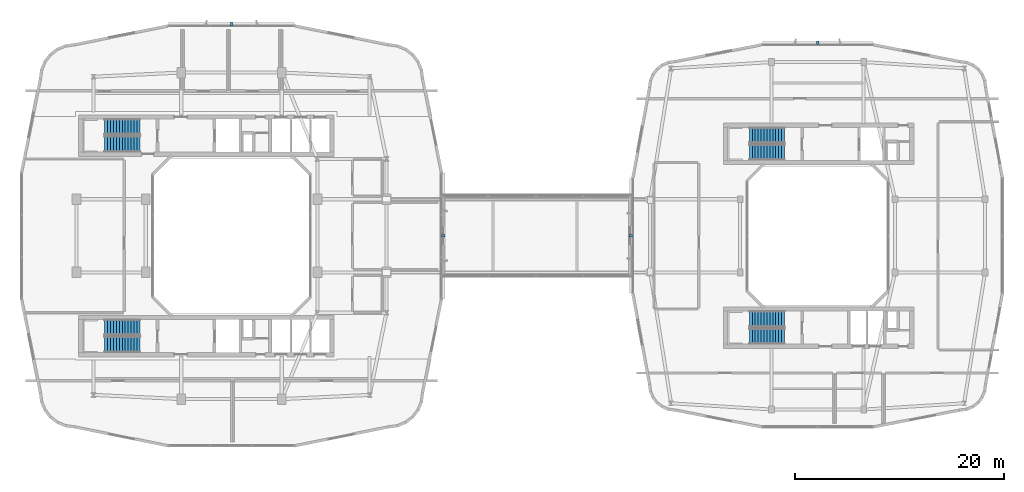
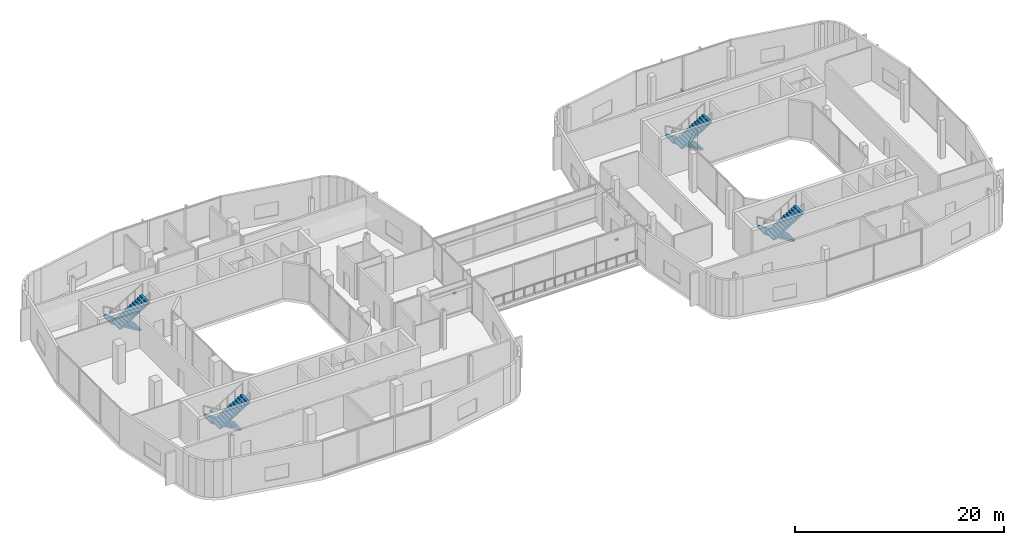
# One storey, part 19 of 24: 8 stair flights, 4 discrete accessories, 4 elements without a shape of their own.
"""IFC4 building model written with IfcOpenShell, lengths in metres."""

from ifc_helpers import new_model, si_unit, derived_unit, direction, frame, origin, origin_2d, place, context, subcontext, project, spatial, polyline, rectangle, outline, extrude, material, type_object, element, aggregate, save


model = new_model("IFC4")

# Units and contexts
model_context = context("Model", 3, precision=1e-05, world=origin(), true_north=direction((0.0, 1.0)))
body_context = subcontext(model_context, "Body", "Model", "MODEL_VIEW")
ifc_project = project(units=[si_unit("LENGTHUNIT", "METRE"), si_unit("AREAUNIT", "SQUARE_METRE"), si_unit("VOLUMEUNIT", "CUBIC_METRE"), si_unit("PLANEANGLEUNIT", "RADIAN"), si_unit("MASSUNIT", "GRAM", prefix="KILO"), derived_unit("THERMALTRANSMITTANCEUNIT", [(si_unit("POWERUNIT", "WATT"), 1), (si_unit("LENGTHUNIT", "METRE"), -2), (si_unit("THERMODYNAMICTEMPERATUREUNIT", "KELVIN"), -1)])], contexts=[model_context])

# Site, building, storey
site_placement = place(None, origin())
site = spatial("IfcSite", under=ifc_project, at=site_placement, CompositionType="ELEMENT")
building_placement = place(site_placement, origin())
building = spatial("IfcBuilding", under=site, at=building_placement, Name="Kivonza Crest Hotel", CompositionType="ELEMENT")
storey_placement = place(building_placement, frame((0.0, 0.0, 119.5)))
storey = spatial("IfcBuildingStorey", under=building, at=storey_placement, Name="L32", CompositionType="ELEMENT", Elevation=119.5)

# Stair, stair flights
ifc_material_1 = material(Name="Concrete C40/50", Category="concrete")
stair_type = type_object("IfcStairType", Name="ST-DL-26R", PredefinedType="HALF_TURN_STAIR", material=ifc_material_1)
stair_1_placement = place(storey_placement, origin())
stair_1 = element("IfcStair", 1, at=stair_1_placement, inside=storey, type_object=stair_type, Name="L32 Protected Exit Stair ST-T1-N", PredefinedType="HALF_TURN_STAIR")
stair_flight_type = type_object("IfcStairFlightType", Name="SFL-RC-13R", PredefinedType="STRAIGHT", material=ifc_material_1)
stair_flight_1_placement = place(storey_placement, frame((12.239990234375, 35.409912109375, 0.0), z_axis=(0.0, 0.0, 1.0), x_axis=(-1.0, 0.0, 0.0)))
stair_flight_1 = element("IfcStairFlight", 2, at=stair_flight_1_placement, type_object=stair_flight_type, Name="ST-T1-N flight 1", NumberOfRisers=13, NumberOfTreads=12, PredefinedType="STRAIGHT", RiserHeight=0.173076923, TreadLength=0.28, context=body_context, shape_type="SweptSolid", body=[
    extrude(outline(polyline([(0.0, 0.0), (0.0, 0.173095703125), (0.280029296875, 0.173095703125), (0.280029296875, 0.34619140625), (0.56005859375, 0.34619140625), (0.56005859375, 0.519287109375), (0.840087890625, 0.519287109375), (0.840087890625, 0.6923828125), (1.1201171875, 0.6923828125), (1.1201171875, 0.865478515625), (1.39990234375, 0.865478515625), (1.39990234375, 1.03857421875), (1.679931640625, 1.03857421875), (1.679931640625, 1.21142578125), (1.9599609375, 1.21142578125), (1.9599609375, 1.384521484375), (2.239990234375, 1.384521484375), (2.239990234375, 1.5576171875), (2.52001953125, 1.5576171875), (2.52001953125, 1.730712890625), (2.800048828125, 1.730712890625), (2.800048828125, 1.90380859375), (3.080078125, 1.90380859375), (3.080078125, 2.076904296875), (3.360107421875, 2.076904296875), (3.360107421875, 2.25), (3.360107421875, 1.900634765625), (0.28515625, 0.0), (0.0, 0.0)])), frame((0.0, 0.75, 0.0), z_axis=(0.0, -1.0, 0.0), x_axis=(1.0, 0.0, 0.0)), (0.0, 0.0, 1.0), 1.5),
])
stair_flight_2_placement = place(storey_placement, frame((8.8798828125, 33.77001953125, 2.25), z_axis=(0.0, 0.0, 1.0), x_axis=(1.0, 0.0, 0.0)))
stair_flight_2 = element("IfcStairFlight", 3, at=stair_flight_2_placement, type_object=stair_flight_type, Name="ST-T1-N flight 2", NumberOfRisers=13, NumberOfTreads=12, PredefinedType="STRAIGHT", RiserHeight=0.173076923, TreadLength=0.28, context=body_context, shape_type="SweptSolid", body=[
    extrude(outline(polyline([(0.0, 0.0), (0.0, 0.173095703125), (0.280029296875, 0.173095703125), (0.280029296875, 0.34619140625), (0.56005859375, 0.34619140625), (0.56005859375, 0.519287109375), (0.840087890625, 0.519287109375), (0.840087890625, 0.6923828125), (1.1201171875, 0.6923828125), (1.1201171875, 0.865478515625), (1.39990234375, 0.865478515625), (1.39990234375, 1.03857421875), (1.679931640625, 1.03857421875), (1.679931640625, 1.21142578125), (1.9599609375, 1.21142578125), (1.9599609375, 1.384521484375), (2.239990234375, 1.384521484375), (2.239990234375, 1.5576171875), (2.52001953125, 1.5576171875), (2.52001953125, 1.730712890625), (2.800048828125, 1.730712890625), (2.800048828125, 1.90380859375), (3.080078125, 1.90380859375), (3.080078125, 2.076904296875), (3.360107421875, 2.076904296875), (3.360107421875, 2.25), (3.360107421875, 1.900634765625), (0.28515625, 0.0), (0.0, 0.0)])), frame((0.0, 0.75, 0.0), z_axis=(0.0, -1.0, 0.0), x_axis=(1.0, 0.0, 0.0)), (0.0, 0.0, 1.0), 1.5),
])
aggregate(stair_1, [stair_flight_1, stair_flight_2])

stair_2_placement = place(storey_placement, origin())
stair_2 = element("IfcStair", 4, at=stair_2_placement, inside=storey, type_object=stair_type, Name="L32 Protected Exit Stair ST-T1-S", PredefinedType="HALF_TURN_STAIR")
stair_flight_3_placement = place(storey_placement, frame((12.239990234375, 16.25, 0.0), z_axis=(0.0, 0.0, 1.0), x_axis=(-1.0, 0.0, 0.0)))
stair_flight_3 = element("IfcStairFlight", 5, at=stair_flight_3_placement, type_object=stair_flight_type, Name="ST-T1-S flight 1", NumberOfRisers=13, NumberOfTreads=12, PredefinedType="STRAIGHT", RiserHeight=0.173076923, TreadLength=0.28, context=body_context, shape_type="SweptSolid", body=[
    extrude(outline(polyline([(0.0, 0.0), (0.0, 0.173095703125), (0.280029296875, 0.173095703125), (0.280029296875, 0.34619140625), (0.56005859375, 0.34619140625), (0.56005859375, 0.519287109375), (0.840087890625, 0.519287109375), (0.840087890625, 0.6923828125), (1.1201171875, 0.6923828125), (1.1201171875, 0.865478515625), (1.39990234375, 0.865478515625), (1.39990234375, 1.03857421875), (1.679931640625, 1.03857421875), (1.679931640625, 1.21142578125), (1.9599609375, 1.21142578125), (1.9599609375, 1.384521484375), (2.239990234375, 1.384521484375), (2.239990234375, 1.5576171875), (2.52001953125, 1.5576171875), (2.52001953125, 1.730712890625), (2.800048828125, 1.730712890625), (2.800048828125, 1.90380859375), (3.080078125, 1.90380859375), (3.080078125, 2.076904296875), (3.360107421875, 2.076904296875), (3.360107421875, 2.25), (3.360107421875, 1.900634765625), (0.28515625, 0.0), (0.0, 0.0)])), frame((0.0, 0.75, 0.0), z_axis=(0.0, -1.0, 0.0), x_axis=(1.0, 0.0, 0.0)), (0.0, 0.0, 1.0), 1.5),
])
stair_flight_4_placement = place(storey_placement, frame((8.8798828125, 14.610107421875, 2.25), z_axis=(0.0, 0.0, 1.0), x_axis=(1.0, 0.0, 0.0)))
stair_flight_4 = element("IfcStairFlight", 6, at=stair_flight_4_placement, type_object=stair_flight_type, Name="ST-T1-S flight 2", NumberOfRisers=13, NumberOfTreads=12, PredefinedType="STRAIGHT", RiserHeight=0.173076923, TreadLength=0.28, context=body_context, shape_type="SweptSolid", body=[
    extrude(outline(polyline([(0.0, 0.0), (0.0, 0.173095703125), (0.280029296875, 0.173095703125), (0.280029296875, 0.34619140625), (0.56005859375, 0.34619140625), (0.56005859375, 0.519287109375), (0.840087890625, 0.519287109375), (0.840087890625, 0.6923828125), (1.1201171875, 0.6923828125), (1.1201171875, 0.865478515625), (1.39990234375, 0.865478515625), (1.39990234375, 1.03857421875), (1.679931640625, 1.03857421875), (1.679931640625, 1.21142578125), (1.9599609375, 1.21142578125), (1.9599609375, 1.384521484375), (2.239990234375, 1.384521484375), (2.239990234375, 1.5576171875), (2.52001953125, 1.5576171875), (2.52001953125, 1.730712890625), (2.800048828125, 1.730712890625), (2.800048828125, 1.90380859375), (3.080078125, 1.90380859375), (3.080078125, 2.076904296875), (3.360107421875, 2.076904296875), (3.360107421875, 2.25), (3.360107421875, 1.900634765625), (0.28515625, 0.0), (0.0, 0.0)])), frame((0.0, 0.75, 0.0), z_axis=(0.0, -1.0, 0.0), x_axis=(1.0, 0.0, 0.0)), (0.0, 0.0, 1.0), 1.5),
])
aggregate(stair_2, [stair_flight_3, stair_flight_4])

stair_3_placement = place(storey_placement, origin())
stair_3 = element("IfcStair", 7, at=stair_3_placement, inside=storey, type_object=stair_type, Name="L32 Protected Exit Stair ST-T2-N", PredefinedType="HALF_TURN_STAIR")
stair_flight_5_placement = place(storey_placement, frame((73.840087890625, 34.610107421875, 0.0), z_axis=(0.0, 0.0, 1.0), x_axis=(-1.0, 0.0, 0.0)))
stair_flight_5 = element("IfcStairFlight", 8, at=stair_flight_5_placement, type_object=stair_flight_type, Name="ST-T2-N flight 1", NumberOfRisers=13, NumberOfTreads=12, PredefinedType="STRAIGHT", RiserHeight=0.173076923, TreadLength=0.28, context=body_context, shape_type="SweptSolid", body=[
    extrude(outline(polyline([(0.0, 0.0), (0.0, 0.173095703125), (0.280029296875, 0.173095703125), (0.280029296875, 0.34619140625), (0.56005859375, 0.34619140625), (0.56005859375, 0.519287109375), (0.840087890625, 0.519287109375), (0.840087890625, 0.6923828125), (1.1201171875, 0.6923828125), (1.1201171875, 0.865478515625), (1.39990234375, 0.865478515625), (1.39990234375, 1.03857421875), (1.679931640625, 1.03857421875), (1.679931640625, 1.21142578125), (1.9599609375, 1.21142578125), (1.9599609375, 1.384521484375), (2.239990234375, 1.384521484375), (2.239990234375, 1.5576171875), (2.52001953125, 1.5576171875), (2.52001953125, 1.730712890625), (2.800048828125, 1.730712890625), (2.800048828125, 1.90380859375), (3.080078125, 1.90380859375), (3.080078125, 2.076904296875), (3.360107421875, 2.076904296875), (3.360107421875, 2.25), (3.360107421875, 1.900634765625), (0.28515625, 0.0), (0.0, 0.0)])), frame((0.0, 0.75, 0.0), z_axis=(0.0, -1.0, 0.0), x_axis=(1.0, 0.0, 0.0)), (0.0, 0.0, 1.0), 1.5),
])
stair_flight_6_placement = place(storey_placement, frame((70.47998046875, 32.969970703125, 2.25), z_axis=(0.0, 0.0, 1.0), x_axis=(1.0, 0.0, 0.0)))
stair_flight_6 = element("IfcStairFlight", 9, at=stair_flight_6_placement, type_object=stair_flight_type, Name="ST-T2-N flight 2", NumberOfRisers=13, NumberOfTreads=12, PredefinedType="STRAIGHT", RiserHeight=0.173076923, TreadLength=0.28, context=body_context, shape_type="SweptSolid", body=[
    extrude(outline(polyline([(0.0, 0.0), (0.0, 0.173095703125), (0.280029296875, 0.173095703125), (0.280029296875, 0.34619140625), (0.56005859375, 0.34619140625), (0.56005859375, 0.519287109375), (0.840087890625, 0.519287109375), (0.840087890625, 0.6923828125), (1.1201171875, 0.6923828125), (1.1201171875, 0.865478515625), (1.39990234375, 0.865478515625), (1.39990234375, 1.03857421875), (1.679931640625, 1.03857421875), (1.679931640625, 1.21142578125), (1.9599609375, 1.21142578125), (1.9599609375, 1.384521484375), (2.239990234375, 1.384521484375), (2.239990234375, 1.5576171875), (2.52001953125, 1.5576171875), (2.52001953125, 1.730712890625), (2.800048828125, 1.730712890625), (2.800048828125, 1.90380859375), (3.080078125, 1.90380859375), (3.080078125, 2.076904296875), (3.360107421875, 2.076904296875), (3.360107421875, 2.25), (3.360107421875, 1.900634765625), (0.28515625, 0.0), (0.0, 0.0)])), frame((0.0, 0.75, 0.0), z_axis=(0.0, -1.0, 0.0), x_axis=(1.0, 0.0, 0.0)), (0.0, 0.0, 1.0), 1.5),
])
aggregate(stair_3, [stair_flight_5, stair_flight_6])

stair_4_placement = place(storey_placement, origin())
stair_4 = element("IfcStair", 10, at=stair_4_placement, inside=storey, type_object=stair_type, Name="L32 Protected Exit Stair ST-T2-S", PredefinedType="HALF_TURN_STAIR")
stair_flight_7_placement = place(storey_placement, frame((73.840087890625, 17.050048828125, 0.0), z_axis=(0.0, 0.0, 1.0), x_axis=(-1.0, 0.0, 0.0)))
stair_flight_7 = element("IfcStairFlight", 11, at=stair_flight_7_placement, type_object=stair_flight_type, Name="ST-T2-S flight 1", NumberOfRisers=13, NumberOfTreads=12, PredefinedType="STRAIGHT", RiserHeight=0.173076923, TreadLength=0.28, context=body_context, shape_type="SweptSolid", body=[
    extrude(outline(polyline([(0.0, 0.0), (0.0, 0.173095703125), (0.280029296875, 0.173095703125), (0.280029296875, 0.34619140625), (0.56005859375, 0.34619140625), (0.56005859375, 0.519287109375), (0.840087890625, 0.519287109375), (0.840087890625, 0.6923828125), (1.1201171875, 0.6923828125), (1.1201171875, 0.865478515625), (1.39990234375, 0.865478515625), (1.39990234375, 1.03857421875), (1.679931640625, 1.03857421875), (1.679931640625, 1.21142578125), (1.9599609375, 1.21142578125), (1.9599609375, 1.384521484375), (2.239990234375, 1.384521484375), (2.239990234375, 1.5576171875), (2.52001953125, 1.5576171875), (2.52001953125, 1.730712890625), (2.800048828125, 1.730712890625), (2.800048828125, 1.90380859375), (3.080078125, 1.90380859375), (3.080078125, 2.076904296875), (3.360107421875, 2.076904296875), (3.360107421875, 2.25), (3.360107421875, 1.900634765625), (0.28515625, 0.0), (0.0, 0.0)])), frame((0.0, 0.75, 0.0), z_axis=(0.0, -1.0, 0.0), x_axis=(1.0, 0.0, 0.0)), (0.0, 0.0, 1.0), 1.5),
])
stair_flight_8_placement = place(storey_placement, frame((70.47998046875, 15.409912109375, 2.25), z_axis=(0.0, 0.0, 1.0), x_axis=(1.0, 0.0, 0.0)))
stair_flight_8 = element("IfcStairFlight", 12, at=stair_flight_8_placement, type_object=stair_flight_type, Name="ST-T2-S flight 2", NumberOfRisers=13, NumberOfTreads=12, PredefinedType="STRAIGHT", RiserHeight=0.173076923, TreadLength=0.28, context=body_context, shape_type="SweptSolid", body=[
    extrude(outline(polyline([(0.0, 0.0), (0.0, 0.173095703125), (0.280029296875, 0.173095703125), (0.280029296875, 0.34619140625), (0.56005859375, 0.34619140625), (0.56005859375, 0.519287109375), (0.840087890625, 0.519287109375), (0.840087890625, 0.6923828125), (1.1201171875, 0.6923828125), (1.1201171875, 0.865478515625), (1.39990234375, 0.865478515625), (1.39990234375, 1.03857421875), (1.679931640625, 1.03857421875), (1.679931640625, 1.21142578125), (1.9599609375, 1.21142578125), (1.9599609375, 1.384521484375), (2.239990234375, 1.384521484375), (2.239990234375, 1.5576171875), (2.52001953125, 1.5576171875), (2.52001953125, 1.730712890625), (2.800048828125, 1.730712890625), (2.800048828125, 1.90380859375), (3.080078125, 1.90380859375), (3.080078125, 2.076904296875), (3.360107421875, 2.076904296875), (3.360107421875, 2.25), (3.360107421875, 1.900634765625), (0.28515625, 0.0), (0.0, 0.0)])), frame((0.0, 0.75, 0.0), z_axis=(0.0, -1.0, 0.0), x_axis=(1.0, 0.0, 0.0)), (0.0, 0.0, 1.0), 1.5),
])
aggregate(stair_4, [stair_flight_7, stair_flight_8])

# Discrete accessories
ifc_material_2 = material(Name="Stainless steel 316", Category="steel")
discrete_accessory_type = type_object("IfcDiscreteAccessoryType", Name="AC-BRACKET-240", PredefinedType="BRACKET", material=ifc_material_2)
for number, where, z_axis, x_axis, name in (
    (13, (41.239990234375, 25.0, -0.009765625), (0.0, 0.0, 1.0), (0.0, 1.0, 0.0), "L32 terracotta baguette support bracket CW-T1-L32-17"),
    (14, (21.0, 45.239990234375, -0.009765625), (0.0, 0.0, 1.0), (-1.0, 0.0, 0.0), "L32 terracotta baguette support bracket CW-T1-L32-26"),
    (15, (77.0, 43.43994140625, -0.009765625), (0.0, 0.0, 1.0), (-1.0, 0.0, 0.0), "L32 terracotta baguette support bracket CW-T2-L32-26"),
    (16, (59.159912109375, 25.0, -0.009765625), (0.0, 0.0, 1.0), (0.0, -1.0, 0.0), "L32 terracotta baguette support bracket CW-T2-L32-35"),
):
    element("IfcDiscreteAccessory", number, at=place(storey_placement, frame(where, z_axis=z_axis, x_axis=x_axis)), inside=storey, type_object=discrete_accessory_type, Name=name, PredefinedType="BRACKET", context=body_context, shape_type="SweptSolid", body=[
        extrude(rectangle(XDim=0.219970703125, YDim=0.340087890625, at=origin_2d()), origin(), (0.0, 0.0, 1.0), 0.179931640625),
    ])

save(model, "model.ifc")
